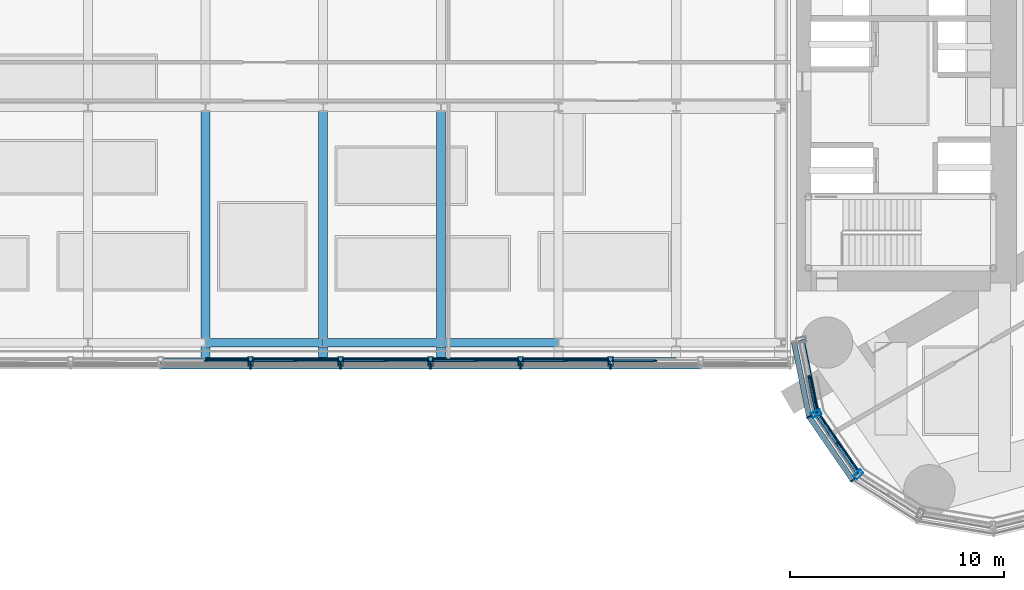
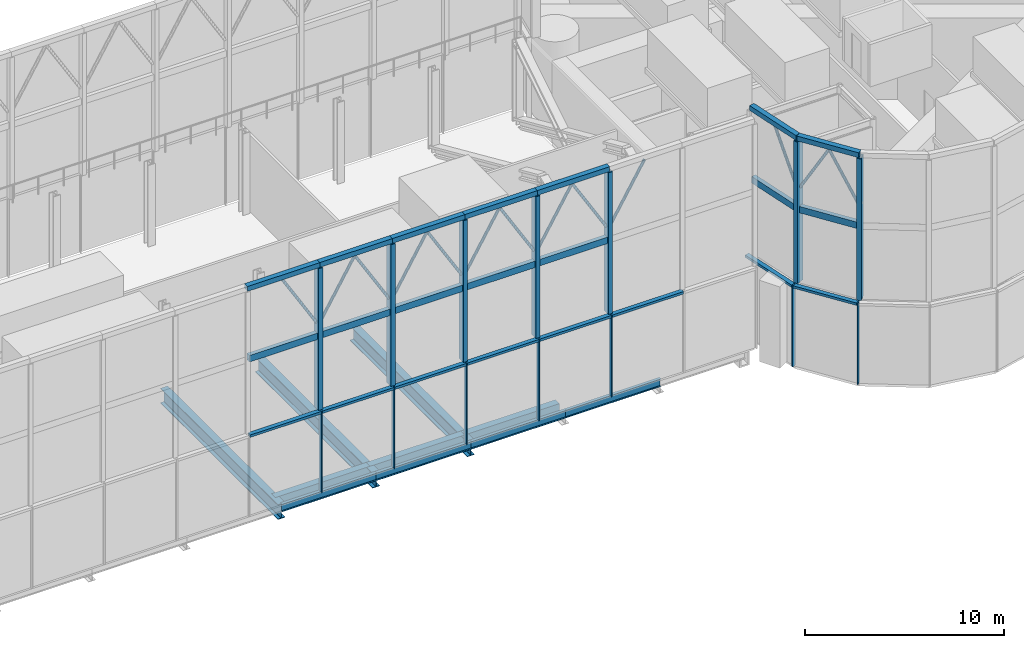
# One storey, part 14 of 33: 49 members, 10 beams, 4 elements without a shape of their own.
"""IFC4 building model written with IfcOpenShell, lengths in metres."""

from ifc_helpers import new_model, si_unit, direction, frame, origin, origin_2d, place, context, subcontext, project, spatial, rectangle, hollow_rectangle, hollow_circle, i_section, extrude, material, material_profile, profile_set, type_object, element, aggregate, save


model = new_model("IFC4")

# Units and contexts
model_context = context("Model", 3, precision=1e-05, world=origin(), true_north=direction((0.0, 1.0)))
body_context = subcontext(model_context, "Body", "Model", "MODEL_VIEW")
ifc_project = project(units=[si_unit("LENGTHUNIT", "METRE"), si_unit("AREAUNIT", "SQUARE_METRE"), si_unit("VOLUMEUNIT", "CUBIC_METRE"), si_unit("PLANEANGLEUNIT", "RADIAN"), si_unit("MASSUNIT", "GRAM", prefix="KILO")], contexts=[model_context])

# Site, building, storey
site_placement = place(None, origin())
site = spatial("IfcSite", under=ifc_project, at=site_placement, CompositionType="ELEMENT")
building_placement = place(site_placement, origin())
building = spatial("IfcBuilding", under=site, at=building_placement, Name="Lancet Gate Hotel", CompositionType="ELEMENT")
storey_placement = place(building_placement, frame((0.0, 0.0, 268.300048828125)))
storey = spatial("IfcBuildingStorey", under=building, at=storey_placement, Name="L70", CompositionType="ELEMENT", Elevation=268.300048828125)

# Curtain wall, members
ifc_material_1 = material(Name="Aluminium curtain wall", Category="aluminium")
curtain_wall_type_1 = type_object("IfcCurtainWallType", Name="Lantern crown glazing", PredefinedType="USERDEFINED", material=ifc_material_1)
curtain_wall_1_placement = place(storey_placement, origin())
curtain_wall_1 = element("IfcCurtainWall", 1, at=curtain_wall_1_placement, inside=storey, type_object=curtain_wall_type_1, Name="T2 L70 curtain wall 1", ObjectType="LANTERN GLAZING", PredefinedType="USERDEFINED")
ifc_material_2 = material(Name="Aluminium mullion", Category="aluminium")
ifc_material_profile_1 = material_profile(ifc_material_2, rectangle(XDim=0.06494140625, YDim=0.25, at=origin_2d()), Name="MULLION 65x250")
ifc_profile_set_1 = profile_set([ifc_material_profile_1], Name="Aluminium mullion")
member_type_1 = type_object("IfcMemberType", Name="Aluminium mullion 65x250", PredefinedType="MULLION", material=ifc_profile_set_1)
member_1_placement = place(storey_placement, frame((28.216552734375, -14.467529296875, 0.0), z_axis=(0.0, 0.0, 1.0), x_axis=(0.391042139098, -0.920372775265, 0.0)))
member_1 = element("IfcMember", 2, at=member_1_placement, type_object=member_type_1, Name="T2 L70 curtain wall 1 mullion 2", PredefinedType="MULLION", context=body_context, shape_type="SweptSolid", body=[
    extrude(rectangle(XDim=0.06494140625, YDim=0.25, at=origin_2d()), origin(), (0.0, 0.0, 1.0), 5.0),
])
member_2_placement = place(storey_placement, frame((30.25244140625, -17.42626953125, 0.0), z_axis=(0.0, 0.0, 1.0), x_axis=(0.719809077627, -0.694172090886, 0.0)))
member_2 = element("IfcMember", 3, at=member_2_placement, type_object=member_type_1, Name="T2 L70 curtain wall 1 mullion 3", PredefinedType="MULLION", context=body_context, shape_type="SweptSolid", body=[
    extrude(rectangle(XDim=0.06494140625, YDim=0.25, at=origin_2d()), origin(), (0.0, 0.0, 1.0), 5.0),
])

curtain_wall_2_placement = place(storey_placement, origin())
curtain_wall_2 = element("IfcCurtainWall", 4, at=curtain_wall_2_placement, inside=storey, type_object=curtain_wall_type_1, Name="Bridge block L70 curtain wall S", ObjectType="LANTERN GLAZING", PredefinedType="USERDEFINED")
member_3_placement = place(storey_placement, frame((2.103759765625, -12.1201171875, 0.0), z_axis=(0.0, 0.0, 1.0), x_axis=(1.0, 0.0, 0.0)))
member_3 = element("IfcMember", 5, at=member_3_placement, type_object=member_type_1, Name="Bridge block L70 curtain wall S mullion 8", PredefinedType="MULLION", context=body_context, shape_type="SweptSolid", body=[
    extrude(rectangle(XDim=0.06494140625, YDim=0.25, at=origin_2d()), origin(), (0.0, 0.0, 1.0), 5.0),
])
member_4_placement = place(storey_placement, frame((6.3115234375, -12.1201171875, 0.0), z_axis=(0.0, 0.0, 1.0), x_axis=(1.0, 0.0, 0.0)))
member_4 = element("IfcMember", 6, at=member_4_placement, type_object=member_type_1, Name="Bridge block L70 curtain wall S mullion 9", PredefinedType="MULLION", context=body_context, shape_type="SweptSolid", body=[
    extrude(rectangle(XDim=0.06494140625, YDim=0.25, at=origin_2d()), origin(), (0.0, 0.0, 1.0), 5.0),
])
member_5_placement = place(storey_placement, frame((10.519287109375, -12.1201171875, 0.0), z_axis=(0.0, 0.0, 1.0), x_axis=(1.0, 0.0, 0.0)))
member_5 = element("IfcMember", 7, at=member_5_placement, type_object=member_type_1, Name="Bridge block L70 curtain wall S mullion 10", PredefinedType="MULLION", context=body_context, shape_type="SweptSolid", body=[
    extrude(rectangle(XDim=0.06494140625, YDim=0.25, at=origin_2d()), origin(), (0.0, 0.0, 1.0), 5.0),
])
member_6_placement = place(storey_placement, frame((14.726806640625, -12.1201171875, 0.0), z_axis=(0.0, 0.0, 1.0), x_axis=(1.0, 0.0, 0.0)))
member_6 = element("IfcMember", 8, at=member_6_placement, type_object=member_type_1, Name="Bridge block L70 curtain wall S mullion 11", PredefinedType="MULLION", context=body_context, shape_type="SweptSolid", body=[
    extrude(rectangle(XDim=0.06494140625, YDim=0.25, at=origin_2d()), origin(), (0.0, 0.0, 1.0), 5.0),
])
member_7_placement = place(storey_placement, frame((18.9345703125, -12.1201171875, 0.0), z_axis=(0.0, 0.0, 1.0), x_axis=(1.0, 0.0, 0.0)))
member_7 = element("IfcMember", 9, at=member_7_placement, type_object=member_type_1, Name="Bridge block L70 curtain wall S mullion 12", PredefinedType="MULLION", context=body_context, shape_type="SweptSolid", body=[
    extrude(rectangle(XDim=0.06494140625, YDim=0.25, at=origin_2d()), origin(), (0.0, 0.0, 1.0), 5.0),
])

# Member
ifc_material_3 = material(Name="Aluminium transom", Category="aluminium")
ifc_material_profile_2 = material_profile(ifc_material_3, rectangle(XDim=0.25, YDim=0.14990234375, at=origin_2d()), Name="TRANSOM 250x150")
ifc_profile_set_2 = profile_set([ifc_material_profile_2], Name="Aluminium transom")
member_type_2 = type_object("IfcMemberType", Name="Aluminium transom 250x150", PredefinedType="USERDEFINED", material=ifc_profile_set_2)
member_8_placement = place(storey_placement, frame((27.506591796875, -10.97998046875, 4.925048828125), z_axis=(0.19952323725, -0.979893095086, 0.0), x_axis=(0.979893095086, 0.19952323725, 0.0)))
member_8 = element("IfcMember", 10, at=member_8_placement, type_object=member_type_2, Name="T2 L70 curtain wall 1 transom 1", ObjectType="TRANSOM", PredefinedType="USERDEFINED", context=body_context, shape_type="SweptSolid", body=[
    extrude(rectangle(XDim=0.25, YDim=0.14990234375, at=origin_2d()), origin(), (0.0, 0.0, 1.0), 3.5263671875),
])

member_9_placement = place(storey_placement, frame((28.235107421875, -14.494140625, 4.925048828125), z_axis=(0.566813768052, -0.82384595183, 0.0), x_axis=(0.82384595183, 0.566813768052, 0.0)))
member_9 = element("IfcMember", 11, at=member_9_placement, type_object=member_type_2, Name="T2 L70 curtain wall 1 transom 2", ObjectType="TRANSOM", PredefinedType="USERDEFINED", context=body_context, shape_type="SweptSolid", body=[
    extrude(rectangle(XDim=0.25, YDim=0.14990234375, at=origin_2d()), origin(), (0.0, 0.0, 1.0), 3.52685546875),
])

aggregate(curtain_wall_1, [member_1, member_2, member_8, member_9])

member_10_placement = place(storey_placement, frame((-2.0712890625, -12.1201171875, 4.925048828125), z_axis=(1.0, 0.0, 0.0), x_axis=(0.0, 1.0, 0.0)))
member_10 = element("IfcMember", 12, at=member_10_placement, type_object=member_type_2, Name="Bridge block L70 curtain wall S transom 7", ObjectType="TRANSOM", PredefinedType="USERDEFINED", context=body_context, shape_type="SweptSolid", body=[
    extrude(rectangle(XDim=0.25, YDim=0.14990234375, at=origin_2d()), origin(), (0.0, 0.0, 1.0), 4.142578125),
])

member_11_placement = place(storey_placement, frame((2.13623046875, -12.1201171875, 4.925048828125), z_axis=(1.0, 0.0, 0.0), x_axis=(0.0, 1.0, 0.0)))
member_11 = element("IfcMember", 13, at=member_11_placement, type_object=member_type_2, Name="Bridge block L70 curtain wall S transom 8", ObjectType="TRANSOM", PredefinedType="USERDEFINED", context=body_context, shape_type="SweptSolid", body=[
    extrude(rectangle(XDim=0.25, YDim=0.14990234375, at=origin_2d()), origin(), (0.0, 0.0, 1.0), 4.142822265625),
])

member_12_placement = place(storey_placement, frame((6.343994140625, -12.1201171875, 4.925048828125), z_axis=(1.0, 0.0, 0.0), x_axis=(0.0, 1.0, 0.0)))
member_12 = element("IfcMember", 14, at=member_12_placement, type_object=member_type_2, Name="Bridge block L70 curtain wall S transom 9", ObjectType="TRANSOM", PredefinedType="USERDEFINED", context=body_context, shape_type="SweptSolid", body=[
    extrude(rectangle(XDim=0.25, YDim=0.14990234375, at=origin_2d()), origin(), (0.0, 0.0, 1.0), 4.142822265625),
])

member_13_placement = place(storey_placement, frame((10.5517578125, -12.1201171875, 4.925048828125), z_axis=(1.0, 0.0, 0.0), x_axis=(0.0, 1.0, 0.0)))
member_13 = element("IfcMember", 15, at=member_13_placement, type_object=member_type_2, Name="Bridge block L70 curtain wall S transom 10", ObjectType="TRANSOM", PredefinedType="USERDEFINED", context=body_context, shape_type="SweptSolid", body=[
    extrude(rectangle(XDim=0.25, YDim=0.14990234375, at=origin_2d()), origin(), (0.0, 0.0, 1.0), 4.142578125),
])

member_14_placement = place(storey_placement, frame((14.759521484375, -12.1201171875, 4.925048828125), z_axis=(1.0, 0.0, 0.0), x_axis=(0.0, 1.0, 0.0)))
member_14 = element("IfcMember", 16, at=member_14_placement, type_object=member_type_2, Name="Bridge block L70 curtain wall S transom 11", ObjectType="TRANSOM", PredefinedType="USERDEFINED", context=body_context, shape_type="SweptSolid", body=[
    extrude(rectangle(XDim=0.25, YDim=0.14990234375, at=origin_2d()), origin(), (0.0, 0.0, 1.0), 4.142578125),
])

member_15_placement = place(storey_placement, frame((18.967041015625, -12.1201171875, 4.925048828125), z_axis=(1.0, 0.0, 0.0), x_axis=(0.0, 1.0, 0.0)))
member_15 = element("IfcMember", 17, at=member_15_placement, type_object=member_type_2, Name="Bridge block L70 curtain wall S transom 12", ObjectType="TRANSOM", PredefinedType="USERDEFINED", context=body_context, shape_type="SweptSolid", body=[
    extrude(rectangle(XDim=0.25, YDim=0.14990234375, at=origin_2d()), origin(), (0.0, 0.0, 1.0), 4.142822265625),
])

aggregate(curtain_wall_2, [member_3, member_4, member_5, member_6, member_7, member_10, member_11, member_12, member_13, member_14, member_15])

# Beams
ifc_material_4 = material(Name="Steel S355", Category="steel")
ifc_material_profile_3 = material_profile(ifc_material_4, i_section(OverallWidth=0.19140625, OverallDepth=0.4599609375, WebThickness=0.010009765625, FlangeThickness=0.01611328125, FilletRadius=0.01025390625, at=origin_2d()), Name="UKB 457x191x82")
ifc_profile_set_3 = profile_set([ifc_material_profile_3], Name="Steel S355")
beam_type_1 = type_object("IfcBeamType", Name="Block edge beam UKB 457x191x82", PredefinedType="SPANDREL", material=ifc_profile_set_3)
for number, where, z_axis, x_axis, name in (
    (18, (0.0, -11.800048828125, -0.429931640625), (1.0, 0.0, 0.0), (0.0, 1.0, 0.0), "Block edge beam S 5-6 L70"),
    (19, (5.5, -11.800048828125, -0.429931640625), (1.0, 0.0, 0.0), (0.0, 1.0, 0.0), "Block edge beam S 6-7 L70"),
    (20, (11.0, -11.800048828125, -0.429931640625), (1.0, 0.0, 0.0), (0.0, 1.0, 0.0), "Block edge beam S 7-8 L70"),
    (21, (16.5, -11.800048828125, -0.429931640625), (1.0, 0.0, 0.0), (0.0, 1.0, 0.0), "Block edge beam S 8-9 L70"),
):
    element("IfcBeam", number, at=place(storey_placement, frame(where, z_axis=z_axis, x_axis=x_axis)), inside=storey, type_object=beam_type_1, Name=name, PredefinedType="SPANDREL", context=body_context, shape_type="SweptSolid", body=[
        extrude(i_section(OverallWidth=0.19140625, OverallDepth=0.4599609375, WebThickness=0.010009765625, FlangeThickness=0.01611328125, FilletRadius=0.01025390625, at=origin_2d()), origin(), (0.0, 0.0, 1.0), 5.5),
    ])
ifc_material_5 = material(Name="Steel S355", Category="steel")
ifc_material_profile_4 = material_profile(ifc_material_5, i_section(OverallWidth=0.42041015625, OverallDepth=0.9208984375, WebThickness=0.021484375, FlangeThickness=0.03662109375, FilletRadius=0.024169921875, at=origin_2d()), Name="UKB 914x419x388")
ifc_profile_set_4 = profile_set([ifc_material_profile_4], Name="Steel S355")
beam_type_2 = type_object("IfcBeamType", Name="Block plant floor beam UKB 914x419x388", PredefinedType="JOIST", material=ifc_profile_set_4)
for number, where, z_axis, x_axis, name in (
    (22, (0.0, -11.800048828125, -0.66064453125), (0.0, 1.0, 0.0), (-1.0, 0.0, 0.0), "Block beam x5 S L70"),
    (23, (5.5, -11.800048828125, -0.66064453125), (0.0, 1.0, 0.0), (-1.0, 0.0, 0.0), "Block beam x6 S L70"),
    (24, (11.0, -11.800048828125, -0.66064453125), (0.0, 1.0, 0.0), (-1.0, 0.0, 0.0), "Block beam x7 S L70"),
):
    element("IfcBeam", number, at=place(storey_placement, frame(where, z_axis=z_axis, x_axis=x_axis)), inside=storey, type_object=beam_type_2, Name=name, PredefinedType="JOIST", context=body_context, shape_type="SweptSolid", body=[
        extrude(i_section(OverallWidth=0.42041015625, OverallDepth=0.9208984375, WebThickness=0.021484375, FlangeThickness=0.03662109375, FilletRadius=0.024169921875, at=origin_2d()), origin(), (0.0, 0.0, 1.0), 11.800048828125),
    ])
ifc_material_6 = material(Name="Steel S355", Category="steel")
ifc_material_profile_5 = material_profile(ifc_material_6, hollow_rectangle(XDim=0.39990234375, YDim=0.89990234375, WallThickness=0.0400390625, at=origin_2d()), Name="BOX 900x400x40")
ifc_profile_set_5 = profile_set([ifc_material_profile_5], Name="Steel S355")
beam_type_3 = type_object("IfcBeamType", Name="Block primary beam BOX 900x400x40", PredefinedType="BEAM", material=ifc_profile_set_5)
for number, where, z_axis, x_axis, name in (
    (25, (0.0, -11.0, -0.650146484375), (1.0, 0.0, 0.0), (0.0, 1.0, 0.0), "Block primary beam S 6 L70"),
    (26, (5.5, -11.0, -0.650146484375), (1.0, 0.0, 0.0), (0.0, 1.0, 0.0), "Block primary beam S 7 L70"),
    (27, (11.0, -11.0, -0.650146484375), (1.0, 0.0, 0.0), (0.0, 1.0, 0.0), "Block primary beam S 8 L70"),
):
    element("IfcBeam", number, at=place(storey_placement, frame(where, z_axis=z_axis, x_axis=x_axis)), inside=storey, type_object=beam_type_3, Name=name, PredefinedType="BEAM", context=body_context, shape_type="SweptSolid", body=[
        extrude(hollow_rectangle(XDim=0.39990234375, YDim=0.89990234375, WallThickness=0.0400390625, at=origin_2d()), origin(), (0.0, 0.0, 1.0), 5.5),
    ])

# Curtain wall, members
ifc_material_7 = material(Name="Steel framed lantern screen", Category="steel")
curtain_wall_type_2 = type_object("IfcCurtainWallType", Name="Lantern screen", PredefinedType="USERDEFINED", material=ifc_material_7)
curtain_wall_3_placement = place(storey_placement, origin())
curtain_wall_3 = element("IfcCurtainWall", 28, at=curtain_wall_3_placement, inside=storey, type_object=curtain_wall_type_2, Name="T2 lantern screen 1", ObjectType="LANTERN SCREEN", PredefinedType="USERDEFINED")
ifc_material_8 = material(Name="Steel S355", Category="steel")
ifc_material_profile_6 = material_profile(ifc_material_8, hollow_rectangle(XDim=0.300048828125, YDim=0.300048828125, WallThickness=0.012451171875, at=origin_2d()), Name="RHS 300x300x12.5")
ifc_profile_set_6 = profile_set([ifc_material_profile_6], Name="Steel S355")
member_type_3 = type_object("IfcMemberType", Name="Lantern cap beam RHS 300x300x12.5", PredefinedType="USERDEFINED", material=ifc_profile_set_6)
member_16_placement = place(storey_placement, frame((27.852783203125, -10.876220703125, 13.849853515625), z_axis=(0.199504538903, -0.979896902208, 0.0), x_axis=(0.979896902208, 0.199504538903, 0.0)))
member_16 = element("IfcMember", 29, at=member_16_placement, type_object=member_type_3, Name="T2 lantern screen 1 cap 1", ObjectType="LANTERN FRAME", PredefinedType="USERDEFINED", context=body_context, shape_type="SweptSolid", body=[
    extrude(hollow_rectangle(XDim=0.300048828125, YDim=0.300048828125, WallThickness=0.012451171875, at=origin_2d()), origin(), (0.0, 0.0, 1.0), 3.518310546875),
])
member_17_placement = place(storey_placement, frame((28.5546875, -14.32373046875, 13.849853515625), z_axis=(0.566856603489, -0.823816479005, 0.0), x_axis=(0.823816479005, 0.566856603489, 0.0)))
member_17 = element("IfcMember", 30, at=member_17_placement, type_object=member_type_3, Name="T2 lantern screen 1 cap 2", ObjectType="LANTERN FRAME", PredefinedType="USERDEFINED", context=body_context, shape_type="SweptSolid", body=[
    extrude(hollow_rectangle(XDim=0.300048828125, YDim=0.300048828125, WallThickness=0.012451171875, at=origin_2d()), origin(), (0.0, 0.0, 1.0), 3.445068359375),
])

curtain_wall_4_placement = place(storey_placement, origin())
curtain_wall_4 = element("IfcCurtainWall", 31, at=curtain_wall_4_placement, inside=storey, type_object=curtain_wall_type_2, Name="Bridge block lantern screen S", ObjectType="LANTERN SCREEN", PredefinedType="USERDEFINED")
member_18_placement = place(storey_placement, frame((-2.103759765625, -11.8798828125, 13.849853515625), z_axis=(1.0, 0.0, 0.0), x_axis=(0.0, 1.0, 0.0)))
member_18 = element("IfcMember", 32, at=member_18_placement, type_object=member_type_3, Name="Bridge block lantern screen S cap 7", ObjectType="LANTERN FRAME", PredefinedType="USERDEFINED", context=body_context, shape_type="SweptSolid", body=[
    extrude(hollow_rectangle(XDim=0.300048828125, YDim=0.300048828125, WallThickness=0.012451171875, at=origin_2d()), origin(), (0.0, 0.0, 1.0), 4.20751953125),
])
member_19_placement = place(storey_placement, frame((2.103759765625, -11.8798828125, 13.849853515625), z_axis=(1.0, 0.0, 0.0), x_axis=(0.0, 1.0, 0.0)))
member_19 = element("IfcMember", 33, at=member_19_placement, type_object=member_type_3, Name="Bridge block lantern screen S cap 8", ObjectType="LANTERN FRAME", PredefinedType="USERDEFINED", context=body_context, shape_type="SweptSolid", body=[
    extrude(hollow_rectangle(XDim=0.300048828125, YDim=0.300048828125, WallThickness=0.012451171875, at=origin_2d()), origin(), (0.0, 0.0, 1.0), 4.207763671875),
])
member_20_placement = place(storey_placement, frame((6.3115234375, -11.8798828125, 13.849853515625), z_axis=(1.0, 0.0, 0.0), x_axis=(0.0, 1.0, 0.0)))
member_20 = element("IfcMember", 34, at=member_20_placement, type_object=member_type_3, Name="Bridge block lantern screen S cap 9", ObjectType="LANTERN FRAME", PredefinedType="USERDEFINED", context=body_context, shape_type="SweptSolid", body=[
    extrude(hollow_rectangle(XDim=0.300048828125, YDim=0.300048828125, WallThickness=0.012451171875, at=origin_2d()), origin(), (0.0, 0.0, 1.0), 4.207763671875),
])
member_21_placement = place(storey_placement, frame((10.519287109375, -11.8798828125, 13.849853515625), z_axis=(1.0, 0.0, 0.0), x_axis=(0.0, 1.0, 0.0)))
member_21 = element("IfcMember", 35, at=member_21_placement, type_object=member_type_3, Name="Bridge block lantern screen S cap 10", ObjectType="LANTERN FRAME", PredefinedType="USERDEFINED", context=body_context, shape_type="SweptSolid", body=[
    extrude(hollow_rectangle(XDim=0.300048828125, YDim=0.300048828125, WallThickness=0.012451171875, at=origin_2d()), origin(), (0.0, 0.0, 1.0), 4.20751953125),
])
member_22_placement = place(storey_placement, frame((14.726806640625, -11.8798828125, 13.849853515625), z_axis=(1.0, 0.0, 0.0), x_axis=(0.0, 1.0, 0.0)))
member_22 = element("IfcMember", 36, at=member_22_placement, type_object=member_type_3, Name="Bridge block lantern screen S cap 11", ObjectType="LANTERN FRAME", PredefinedType="USERDEFINED", context=body_context, shape_type="SweptSolid", body=[
    extrude(hollow_rectangle(XDim=0.300048828125, YDim=0.300048828125, WallThickness=0.012451171875, at=origin_2d()), origin(), (0.0, 0.0, 1.0), 4.207763671875),
])

# Member
ifc_material_9 = material(Name="Steel S355", Category="steel")
ifc_material_profile_7 = material_profile(ifc_material_9, hollow_rectangle(XDim=0.25, YDim=0.449951171875, WallThickness=0.01611328125, at=origin_2d()), Name="RHS 450x250x16")
ifc_profile_set_7 = profile_set([ifc_material_profile_7], Name="Steel S355")
member_type_4 = type_object("IfcMemberType", Name="Lantern frame post RHS 450x250x16", PredefinedType="USERDEFINED", material=ifc_profile_set_7)
member_23_placement = place(storey_placement, frame((28.5546875, -14.32373046875, 5.0), z_axis=(0.0, 0.0, 1.0), x_axis=(0.391042139098, -0.920372775265, 0.0)))
member_23 = element("IfcMember", 37, at=member_23_placement, type_object=member_type_4, Name="T2 lantern screen 1 frame post 2", ObjectType="LANTERN FRAME", PredefinedType="USERDEFINED", context=body_context, shape_type="SweptSolid", body=[
    extrude(hollow_rectangle(XDim=0.25, YDim=0.449951171875, WallThickness=0.01611328125, at=origin_2d()), origin(), (0.0, 0.0, 1.0), 8.699951171875),
])

member_24_placement = place(storey_placement, frame((30.507568359375, -17.161865234375, 5.0), z_axis=(0.0, 0.0, 1.0), x_axis=(0.719809077627, -0.694172090886, 0.0)))
member_24 = element("IfcMember", 38, at=member_24_placement, type_object=member_type_4, Name="T2 lantern screen 1 frame post 3", ObjectType="LANTERN FRAME", PredefinedType="USERDEFINED", context=body_context, shape_type="SweptSolid", body=[
    extrude(hollow_rectangle(XDim=0.25, YDim=0.449951171875, WallThickness=0.01611328125, at=origin_2d()), origin(), (0.0, 0.0, 1.0), 8.699951171875),
])

member_25_placement = place(storey_placement, frame((2.103759765625, -11.8798828125, 5.0), z_axis=(0.0, 0.0, 1.0), x_axis=(1.0, 0.0, 0.0)))
member_25 = element("IfcMember", 39, at=member_25_placement, type_object=member_type_4, Name="Bridge block lantern screen S frame post 8", ObjectType="LANTERN FRAME", PredefinedType="USERDEFINED", context=body_context, shape_type="SweptSolid", body=[
    extrude(hollow_rectangle(XDim=0.25, YDim=0.449951171875, WallThickness=0.01611328125, at=origin_2d()), origin(), (0.0, 0.0, 1.0), 8.699951171875),
])

member_26_placement = place(storey_placement, frame((6.3115234375, -11.8798828125, 5.0), z_axis=(0.0, 0.0, 1.0), x_axis=(1.0, 0.0, 0.0)))
member_26 = element("IfcMember", 40, at=member_26_placement, type_object=member_type_4, Name="Bridge block lantern screen S frame post 9", ObjectType="LANTERN FRAME", PredefinedType="USERDEFINED", context=body_context, shape_type="SweptSolid", body=[
    extrude(hollow_rectangle(XDim=0.25, YDim=0.449951171875, WallThickness=0.01611328125, at=origin_2d()), origin(), (0.0, 0.0, 1.0), 8.699951171875),
])

member_27_placement = place(storey_placement, frame((10.519287109375, -11.8798828125, 5.0), z_axis=(0.0, 0.0, 1.0), x_axis=(1.0, 0.0, 0.0)))
member_27 = element("IfcMember", 41, at=member_27_placement, type_object=member_type_4, Name="Bridge block lantern screen S frame post 10", ObjectType="LANTERN FRAME", PredefinedType="USERDEFINED", context=body_context, shape_type="SweptSolid", body=[
    extrude(hollow_rectangle(XDim=0.25, YDim=0.449951171875, WallThickness=0.01611328125, at=origin_2d()), origin(), (0.0, 0.0, 1.0), 8.699951171875),
])

member_28_placement = place(storey_placement, frame((14.726806640625, -11.8798828125, 5.0), z_axis=(0.0, 0.0, 1.0), x_axis=(1.0, 0.0, 0.0)))
member_28 = element("IfcMember", 42, at=member_28_placement, type_object=member_type_4, Name="Bridge block lantern screen S frame post 11", ObjectType="LANTERN FRAME", PredefinedType="USERDEFINED", context=body_context, shape_type="SweptSolid", body=[
    extrude(hollow_rectangle(XDim=0.25, YDim=0.449951171875, WallThickness=0.01611328125, at=origin_2d()), origin(), (0.0, 0.0, 1.0), 8.699951171875),
])

member_29_placement = place(storey_placement, frame((18.9345703125, -11.8798828125, 5.0), z_axis=(0.0, 0.0, 1.0), x_axis=(1.0, 0.0, 0.0)))
member_29 = element("IfcMember", 43, at=member_29_placement, type_object=member_type_4, Name="Bridge block lantern screen S frame post 12", ObjectType="LANTERN FRAME", PredefinedType="USERDEFINED", context=body_context, shape_type="SweptSolid", body=[
    extrude(hollow_rectangle(XDim=0.25, YDim=0.449951171875, WallThickness=0.01611328125, at=origin_2d()), origin(), (0.0, 0.0, 1.0), 8.699951171875),
])

ifc_material_10 = material(Name="Steel S355", Category="steel")
ifc_material_profile_8 = material_profile(ifc_material_10, hollow_circle(Radius=0.084228515625, WallThickness=0.008056640625, at=origin_2d()), Name="CHS 168.3x8.0")
ifc_profile_set_8 = profile_set([ifc_material_profile_8], Name="Steel S355")
member_type_5 = type_object("IfcMemberType", Name="Lantern lancet head CHS 168.3x8", PredefinedType="USERDEFINED", material=ifc_profile_set_8)
member_30_placement = place(storey_placement, frame((28.52978515625, -14.201416015625, 10.758544921875), z_axis=(-0.099021300575, 0.486502404848, 0.868049648413), x_axis=(-0.979908462414, -0.199447750773, 0.0)))
member_30 = element("IfcMember", 44, at=member_30_placement, type_object=member_type_5, Name="T2 lantern screen 1 lancet head 1B", ObjectType="LANTERN FRAME", PredefinedType="USERDEFINED", context=body_context, shape_type="SweptSolid", body=[
    extrude(hollow_circle(Radius=0.084228515625, WallThickness=0.008056640625, at=origin_2d()), origin(), (0.0, 0.0, 1.0), 3.29150390625),
])

member_31_placement = place(storey_placement, frame((28.625732421875, -14.4267578125, 10.824462890625), z_axis=(0.281556612935, -0.409240145681, 0.86789882871), x_axis=(0.823850143207, 0.56680767597, 0.0)))
member_31 = element("IfcMember", 45, at=member_31_placement, type_object=member_type_5, Name="T2 lantern screen 1 lancet head 2A", ObjectType="LANTERN FRAME", PredefinedType="USERDEFINED", context=body_context, shape_type="SweptSolid", body=[
    extrude(hollow_circle(Radius=0.084228515625, WallThickness=0.008056640625, at=origin_2d()), origin(), (0.0, 0.0, 1.0), 3.216064453125),
])

member_32_placement = place(storey_placement, frame((30.4365234375, -17.058837890625, 10.824462890625), z_axis=(-0.281495461471, 0.409185689679, 0.867944339536), x_axis=(-0.823872412139, -0.566775306904, 0.0)))
member_32 = element("IfcMember", 46, at=member_32_placement, type_object=member_type_5, Name="T2 lantern screen 1 lancet head 2B", ObjectType="LANTERN FRAME", PredefinedType="USERDEFINED", context=body_context, shape_type="SweptSolid", body=[
    extrude(hollow_circle(Radius=0.084228515625, WallThickness=0.008056640625, at=origin_2d()), origin(), (0.0, 0.0, 1.0), 3.216064453125),
])

member_33_placement = place(storey_placement, frame((1.978759765625, -11.8798828125, 10.300048828125), z_axis=(-0.512467285429, 0.0, 0.858706749342), x_axis=(0.0, -1.0, 0.0)))
member_33 = element("IfcMember", 47, at=member_33_placement, type_object=member_type_5, Name="Bridge block lantern screen S lancet head 7B", ObjectType="LANTERN FRAME", PredefinedType="USERDEFINED", context=body_context, shape_type="SweptSolid", body=[
    extrude(hollow_circle(Radius=0.084228515625, WallThickness=0.008056640625, at=origin_2d()), origin(), (0.0, 0.0, 1.0), 3.861328125),
])

member_34_placement = place(storey_placement, frame((2.228759765625, -11.8798828125, 10.300048828125), z_axis=(0.512513906449, 0.0, 0.858678924684), x_axis=(0.0, 1.0, 0.0)))
member_34 = element("IfcMember", 48, at=member_34_placement, type_object=member_type_5, Name="Bridge block lantern screen S lancet head 8A", ObjectType="LANTERN FRAME", PredefinedType="USERDEFINED", context=body_context, shape_type="SweptSolid", body=[
    extrude(hollow_circle(Radius=0.084228515625, WallThickness=0.008056640625, at=origin_2d()), origin(), (0.0, 0.0, 1.0), 3.861328125),
])

member_35_placement = place(storey_placement, frame((6.1865234375, -11.8798828125, 10.300048828125), z_axis=(-0.512467285429, 0.0, 0.858706749342), x_axis=(0.0, -1.0, 0.0)))
member_35 = element("IfcMember", 49, at=member_35_placement, type_object=member_type_5, Name="Bridge block lantern screen S lancet head 8B", ObjectType="LANTERN FRAME", PredefinedType="USERDEFINED", context=body_context, shape_type="SweptSolid", body=[
    extrude(hollow_circle(Radius=0.084228515625, WallThickness=0.008056640625, at=origin_2d()), origin(), (0.0, 0.0, 1.0), 3.861328125),
])

member_36_placement = place(storey_placement, frame((6.4365234375, -11.8798828125, 10.300048828125), z_axis=(0.512467285429, 0.0, 0.858706749342), x_axis=(0.0, 1.0, 0.0)))
member_36 = element("IfcMember", 50, at=member_36_placement, type_object=member_type_5, Name="Bridge block lantern screen S lancet head 9A", ObjectType="LANTERN FRAME", PredefinedType="USERDEFINED", context=body_context, shape_type="SweptSolid", body=[
    extrude(hollow_circle(Radius=0.084228515625, WallThickness=0.008056640625, at=origin_2d()), origin(), (0.0, 0.0, 1.0), 3.861328125),
])

member_37_placement = place(storey_placement, frame((10.394287109375, -11.8798828125, 10.300048828125), z_axis=(-0.512513906449, 0.0, 0.858678924684), x_axis=(0.0, -1.0, 0.0)))
member_37 = element("IfcMember", 51, at=member_37_placement, type_object=member_type_5, Name="Bridge block lantern screen S lancet head 9B", ObjectType="LANTERN FRAME", PredefinedType="USERDEFINED", context=body_context, shape_type="SweptSolid", body=[
    extrude(hollow_circle(Radius=0.084228515625, WallThickness=0.008056640625, at=origin_2d()), origin(), (0.0, 0.0, 1.0), 3.861328125),
])

member_38_placement = place(storey_placement, frame((10.644287109375, -11.8798828125, 10.300048828125), z_axis=(0.512467285429, 0.0, 0.858706749342), x_axis=(0.0, 1.0, 0.0)))
member_38 = element("IfcMember", 52, at=member_38_placement, type_object=member_type_5, Name="Bridge block lantern screen S lancet head 10A", ObjectType="LANTERN FRAME", PredefinedType="USERDEFINED", context=body_context, shape_type="SweptSolid", body=[
    extrude(hollow_circle(Radius=0.084228515625, WallThickness=0.008056640625, at=origin_2d()), origin(), (0.0, 0.0, 1.0), 3.861328125),
])

member_39_placement = place(storey_placement, frame((14.601806640625, -11.8798828125, 10.300048828125), z_axis=(-0.512467285429, 0.0, 0.858706749342), x_axis=(0.0, -1.0, 0.0)))
member_39 = element("IfcMember", 53, at=member_39_placement, type_object=member_type_5, Name="Bridge block lantern screen S lancet head 10B", ObjectType="LANTERN FRAME", PredefinedType="USERDEFINED", context=body_context, shape_type="SweptSolid", body=[
    extrude(hollow_circle(Radius=0.084228515625, WallThickness=0.008056640625, at=origin_2d()), origin(), (0.0, 0.0, 1.0), 3.861328125),
])

member_40_placement = place(storey_placement, frame((14.851806640625, -11.8798828125, 10.300048828125), z_axis=(0.512513906449, 0.0, 0.858678924684), x_axis=(0.0, 1.0, 0.0)))
member_40 = element("IfcMember", 54, at=member_40_placement, type_object=member_type_5, Name="Bridge block lantern screen S lancet head 11A", ObjectType="LANTERN FRAME", PredefinedType="USERDEFINED", context=body_context, shape_type="SweptSolid", body=[
    extrude(hollow_circle(Radius=0.084228515625, WallThickness=0.008056640625, at=origin_2d()), origin(), (0.0, 0.0, 1.0), 3.861328125),
])

member_41_placement = place(storey_placement, frame((18.8095703125, -11.8798828125, 10.300048828125), z_axis=(-0.512467285429, 0.0, 0.858706749342), x_axis=(0.0, -1.0, 0.0)))
member_41 = element("IfcMember", 55, at=member_41_placement, type_object=member_type_5, Name="Bridge block lantern screen S lancet head 11B", ObjectType="LANTERN FRAME", PredefinedType="USERDEFINED", context=body_context, shape_type="SweptSolid", body=[
    extrude(hollow_circle(Radius=0.084228515625, WallThickness=0.008056640625, at=origin_2d()), origin(), (0.0, 0.0, 1.0), 3.861328125),
])

member_42_placement = place(storey_placement, frame((19.0595703125, -11.8798828125, 10.300048828125), z_axis=(0.512513906449, 0.0, 0.858678924684), x_axis=(0.0, 1.0, 0.0)))
member_42 = element("IfcMember", 56, at=member_42_placement, type_object=member_type_5, Name="Bridge block lantern screen S lancet head 12A", ObjectType="LANTERN FRAME", PredefinedType="USERDEFINED", context=body_context, shape_type="SweptSolid", body=[
    extrude(hollow_circle(Radius=0.084228515625, WallThickness=0.008056640625, at=origin_2d()), origin(), (0.0, 0.0, 1.0), 3.861328125),
])

ifc_material_11 = material(Name="Steel S355", Category="steel")
ifc_material_profile_9 = material_profile(ifc_material_11, hollow_rectangle(XDim=0.25, YDim=0.39990234375, WallThickness=0.012451171875, at=origin_2d()), Name="RHS 400x250x12.5")
ifc_profile_set_9 = profile_set([ifc_material_profile_9], Name="Steel S355")
member_type_6 = type_object("IfcMemberType", Name="Lantern ring beam RHS 400x250x12.5", PredefinedType="USERDEFINED", material=ifc_profile_set_9)
member_43_placement = place(storey_placement, frame((27.877685546875, -10.998779296875, 9.5), z_axis=(0.1995194772, -0.97989386069, 0.0), x_axis=(0.97989386069, 0.1995194772, 0.0)))
member_43 = element("IfcMember", 57, at=member_43_placement, type_object=member_type_6, Name="T2 lantern screen 1 ring 1", ObjectType="LANTERN FRAME", PredefinedType="USERDEFINED", context=body_context, shape_type="SweptSolid", body=[
    extrude(hollow_rectangle(XDim=0.25, YDim=0.39990234375, WallThickness=0.012451171875, at=origin_2d()), origin(), (0.0, 0.0, 1.0), 3.268310546875),
])

member_44_placement = place(storey_placement, frame((28.625732421875, -14.4267578125, 9.5), z_axis=(0.566791493266, -0.823861276649, 0.0), x_axis=(0.823861276649, 0.566791493266, 0.0)))
member_44 = element("IfcMember", 58, at=member_44_placement, type_object=member_type_6, Name="T2 lantern screen 1 ring 2", ObjectType="LANTERN FRAME", PredefinedType="USERDEFINED", context=body_context, shape_type="SweptSolid", body=[
    extrude(hollow_rectangle(XDim=0.25, YDim=0.39990234375, WallThickness=0.012451171875, at=origin_2d()), origin(), (0.0, 0.0, 1.0), 3.19482421875),
])

aggregate(curtain_wall_3, [member_23, member_24, member_16, member_43, member_30, member_17, member_44, member_31, member_32])

member_45_placement = place(storey_placement, frame((-1.978759765625, -11.8798828125, 9.5), z_axis=(1.0, 0.0, 0.0), x_axis=(0.0, 1.0, 0.0)))
member_45 = element("IfcMember", 59, at=member_45_placement, type_object=member_type_6, Name="Bridge block lantern screen S ring 7", ObjectType="LANTERN FRAME", PredefinedType="USERDEFINED", context=body_context, shape_type="SweptSolid", body=[
    extrude(hollow_rectangle(XDim=0.25, YDim=0.39990234375, WallThickness=0.012451171875, at=origin_2d()), origin(), (0.0, 0.0, 1.0), 3.95751953125),
])

member_46_placement = place(storey_placement, frame((2.228759765625, -11.8798828125, 9.5), z_axis=(1.0, 0.0, 0.0), x_axis=(0.0, 1.0, 0.0)))
member_46 = element("IfcMember", 60, at=member_46_placement, type_object=member_type_6, Name="Bridge block lantern screen S ring 8", ObjectType="LANTERN FRAME", PredefinedType="USERDEFINED", context=body_context, shape_type="SweptSolid", body=[
    extrude(hollow_rectangle(XDim=0.25, YDim=0.39990234375, WallThickness=0.012451171875, at=origin_2d()), origin(), (0.0, 0.0, 1.0), 3.957763671875),
])

member_47_placement = place(storey_placement, frame((6.4365234375, -11.8798828125, 9.5), z_axis=(1.0, 0.0, 0.0), x_axis=(0.0, 1.0, 0.0)))
member_47 = element("IfcMember", 61, at=member_47_placement, type_object=member_type_6, Name="Bridge block lantern screen S ring 9", ObjectType="LANTERN FRAME", PredefinedType="USERDEFINED", context=body_context, shape_type="SweptSolid", body=[
    extrude(hollow_rectangle(XDim=0.25, YDim=0.39990234375, WallThickness=0.012451171875, at=origin_2d()), origin(), (0.0, 0.0, 1.0), 3.957763671875),
])

member_48_placement = place(storey_placement, frame((10.644287109375, -11.8798828125, 9.5), z_axis=(1.0, 0.0, 0.0), x_axis=(0.0, 1.0, 0.0)))
member_48 = element("IfcMember", 62, at=member_48_placement, type_object=member_type_6, Name="Bridge block lantern screen S ring 10", ObjectType="LANTERN FRAME", PredefinedType="USERDEFINED", context=body_context, shape_type="SweptSolid", body=[
    extrude(hollow_rectangle(XDim=0.25, YDim=0.39990234375, WallThickness=0.012451171875, at=origin_2d()), origin(), (0.0, 0.0, 1.0), 3.95751953125),
])

member_49_placement = place(storey_placement, frame((14.851806640625, -11.8798828125, 9.5), z_axis=(1.0, 0.0, 0.0), x_axis=(0.0, 1.0, 0.0)))
member_49 = element("IfcMember", 63, at=member_49_placement, type_object=member_type_6, Name="Bridge block lantern screen S ring 11", ObjectType="LANTERN FRAME", PredefinedType="USERDEFINED", context=body_context, shape_type="SweptSolid", body=[
    extrude(hollow_rectangle(XDim=0.25, YDim=0.39990234375, WallThickness=0.012451171875, at=origin_2d()), origin(), (0.0, 0.0, 1.0), 3.957763671875),
])

aggregate(curtain_wall_4, [member_25, member_26, member_27, member_28, member_29, member_18, member_45, member_33, member_19, member_46, member_34, member_35, member_20, member_47, member_36, member_37, member_21, member_48, member_38, member_39, member_22, member_49, member_40, member_41, member_42])

save(model, "model.ifc")
